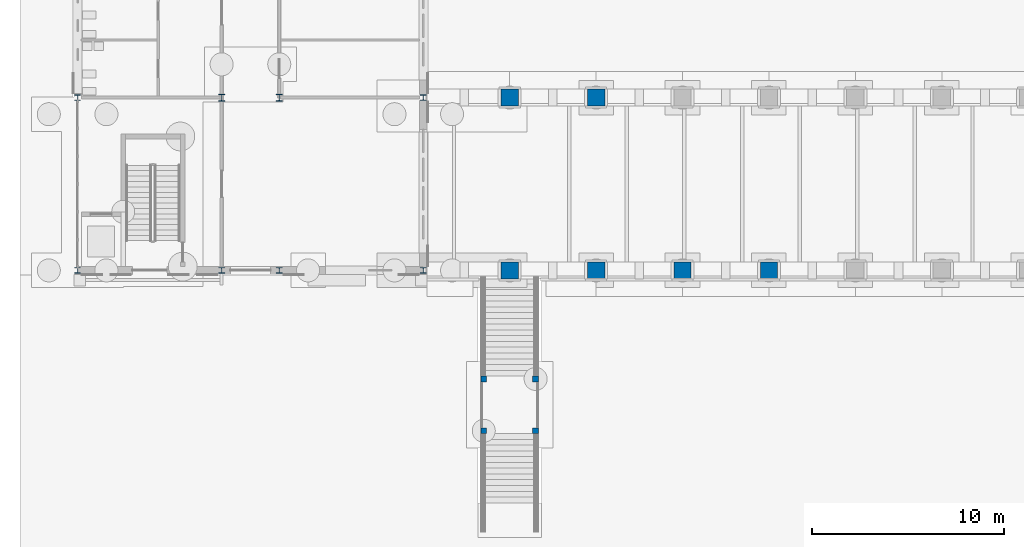
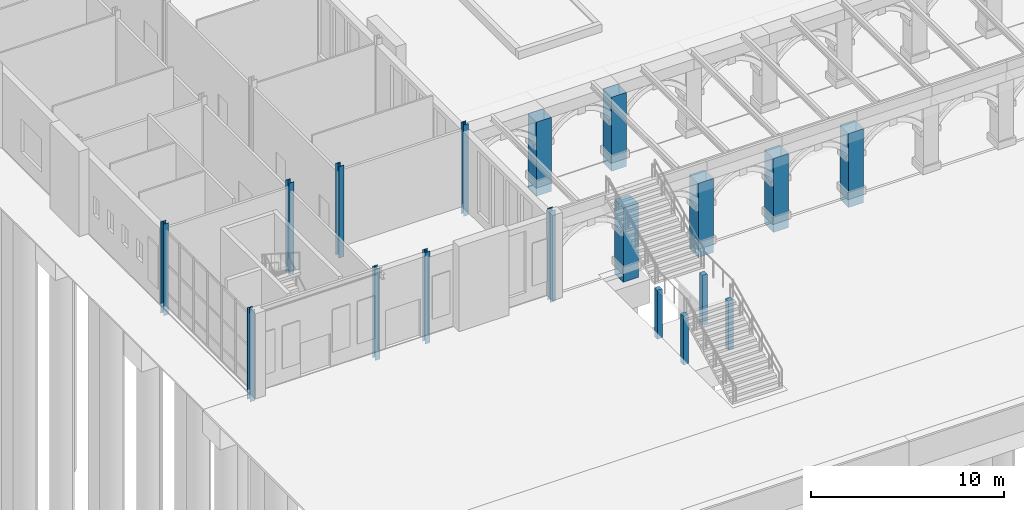
# One storey, part 10 of 168: 18 columns.
"""IFC4 building model written with IfcOpenShell, lengths in metres."""

from ifc_helpers import new_model, si_unit, direction, frame, origin, origin_2d, place, context, subcontext, project, spatial, rectangle, i_section, extrude, material, material_profile, profile_set, type_object, element, save


model = new_model("IFC4")

# Units and contexts
model_context = context("Model", 3, precision=1e-05, world=origin(), true_north=direction((0.0, 1.0)))
body_context = subcontext(model_context, "Body", "Model", "MODEL_VIEW")
ifc_project = project(units=[si_unit("LENGTHUNIT", "METRE"), si_unit("AREAUNIT", "SQUARE_METRE"), si_unit("VOLUMEUNIT", "CUBIC_METRE"), si_unit("PLANEANGLEUNIT", "RADIAN"), si_unit("MASSUNIT", "GRAM", prefix="KILO")], contexts=[model_context])

# Site, building, storey
site_placement = place(None, origin())
site = spatial("IfcSite", under=ifc_project, at=site_placement, CompositionType="ELEMENT")
building_placement = place(site_placement, origin())
building = spatial("IfcBuilding", under=site, at=building_placement, Name="Golden Quay Civic Hall", CompositionType="ELEMENT")
storey_placement = place(building_placement, origin())
storey = spatial("IfcBuildingStorey", under=building, at=storey_placement, Name="L00", CompositionType="ELEMENT", Elevation=0.0)

# Columns
ifc_material_1 = material(Name="Concrete C40/50", Category="concrete")
ifc_material_profile_1 = material_profile(ifc_material_1, rectangle(XDim=0.300048828125, YDim=0.300048828125, at=origin_2d()), Name="RC 300x300")
ifc_profile_set_1 = profile_set([ifc_material_profile_1], Name="Concrete C40/50")
column_type_1 = type_object("IfcColumnType", Name="Concrete column RC 300x300", PredefinedType="COLUMN", material=ifc_profile_set_1)
for number, where, z_axis, x_axis, name in (
    (1, (21.14990234375, -17.35009765625, -0.60009765625), (0.0, 0.0, 1.0), (1.0, 0.0, 0.0), "Stair landing column west"),
    (2, (21.14990234375, -14.64990234375, -0.60009765625), (0.0, 0.0, 1.0), (1.0, 0.0, 0.0), "Stair landing column west"),
    (3, (23.85009765625, -17.35009765625, -0.60009765625), (0.0, 0.0, 1.0), (1.0, 0.0, 0.0), "Stair landing column west"),
    (4, (23.85009765625, -14.64990234375, -0.60009765625), (0.0, 0.0, 1.0), (1.0, 0.0, 0.0), "Stair landing column west"),
):
    element("IfcColumn", number, at=place(storey_placement, frame(where, z_axis=z_axis, x_axis=x_axis)), inside=storey, type_object=column_type_1, Name=name, PredefinedType="COLUMN", context=body_context, shape_type="SweptSolid", body=[
        extrude(rectangle(XDim=0.300048828125, YDim=0.300048828125, at=origin_2d()), origin(), (0.0, 0.0, 1.0), 3.10009765625),
    ])
ifc_material_2 = material(Name="Concrete C40/50", Category="concrete")
ifc_material_profile_2 = material_profile(ifc_material_2, rectangle(XDim=0.89990234375, YDim=0.89990234375, at=origin_2d()), Name="RC 900x900")
ifc_profile_set_2 = profile_set([ifc_material_profile_2], Name="Concrete C40/50")
column_type_2 = type_object("IfcColumnType", Name="Concrete column RC 900x900", PredefinedType="COLUMN", material=ifc_profile_set_2)
for number, where, z_axis, x_axis, name in (
    (5, (22.5, -9.0, -0.60009765625), (0.0, 0.0, 1.0), (1.0, 0.0, 0.0), "Arcade pier outer 22.5"),
    (6, (27.0, -9.0, -0.60009765625), (0.0, 0.0, 1.0), (1.0, 0.0, 0.0), "Arcade pier outer 27"),
    (7, (31.5, -9.0, -0.60009765625), (0.0, 0.0, 1.0), (1.0, 0.0, 0.0), "Arcade pier outer 31.5"),
    (8, (36.0, -9.0, -0.60009765625), (0.0, 0.0, 1.0), (1.0, 0.0, 0.0), "Arcade pier outer 36"),
    (9, (22.5, 0.0, -0.60009765625), (0.0, 0.0, 1.0), (1.0, 0.0, 0.0), "Arcade pier inner0 22.5"),
    (10, (27.0, 0.0, -0.60009765625), (0.0, 0.0, 1.0), (1.0, 0.0, 0.0), "Arcade pier inner0 27"),
):
    element("IfcColumn", number, at=place(storey_placement, frame(where, z_axis=z_axis, x_axis=x_axis)), inside=storey, type_object=column_type_2, Name=name, PredefinedType="COLUMN", context=body_context, shape_type="SweptSolid", body=[
        extrude(rectangle(XDim=0.89990234375, YDim=0.89990234375, at=origin_2d()), origin(), (0.0, 0.0, 1.0), 4.7001953125),
    ])
ifc_material_3 = material(Name="Steel S355", Category="steel")
ifc_material_profile_3 = material_profile(ifc_material_3, i_section(OverallWidth=0.300048828125, OverallDepth=0.300048828125, WebThickness=0.010986328125, FlangeThickness=0.01904296875, FilletRadius=0.027099609375, at=origin_2d()), Name="HEB 300")
ifc_profile_set_3 = profile_set([ifc_material_profile_3], Name="Steel S355")
column_type_3 = type_object("IfcColumnType", Name="Steel column HEB 300", PredefinedType="COLUMN", material=ifc_profile_set_3)
for number, where, z_axis, x_axis, name in (
    (11, (0.0, -9.0, -0.60009765625), (0.0, 0.0, 1.0), (1.0, 0.0, 0.0), "Column 0/-9 L00"),
    (12, (0.0, 0.0, -0.60009765625), (0.0, 0.0, 1.0), (1.0, 0.0, 0.0), "Column 0/0 L00"),
    (13, (7.5, -9.0, -0.60009765625), (0.0, 0.0, 1.0), (1.0, 0.0, 0.0), "Column 7.5/-9 L00"),
    (14, (10.5, -9.0, -0.60009765625), (0.0, 0.0, 1.0), (1.0, 0.0, 0.0), "Column 10.5/-9 L00"),
    (15, (18.0, -9.0, -0.60009765625), (0.0, 0.0, 1.0), (1.0, 0.0, 0.0), "Column 18/-9 L00"),
    (16, (18.0, 0.0, -0.60009765625), (0.0, 0.0, 1.0), (1.0, 0.0, 0.0), "Column 18/0 L00"),
):
    element("IfcColumn", number, at=place(storey_placement, frame(where, z_axis=z_axis, x_axis=x_axis)), inside=storey, type_object=column_type_3, Name=name, PredefinedType="COLUMN", context=body_context, shape_type="SweptSolid", body=[
        extrude(i_section(OverallWidth=0.300048828125, OverallDepth=0.300048828125, WebThickness=0.010986328125, FlangeThickness=0.01904296875, FilletRadius=0.027099609375, at=origin_2d()), origin(), (0.0, 0.0, 1.0), 5.800048828125),
    ])
ifc_material_4 = material(Name="Steel S355", Category="steel")
ifc_material_profile_4 = material_profile(ifc_material_4, i_section(OverallWidth=0.300048828125, OverallDepth=0.360107421875, WebThickness=0.012451171875, FlangeThickness=0.0224609375, FilletRadius=0.027099609375, at=origin_2d()), Name="HEB 360")
ifc_profile_set_4 = profile_set([ifc_material_profile_4], Name="Steel S355")
column_type_4 = type_object("IfcColumnType", Name="Steel column HEB 360", PredefinedType="COLUMN", material=ifc_profile_set_4)
for number, where, z_axis, x_axis, name in (
    (17, (7.5, 0.0, -0.60009765625), (0.0, 0.0, 1.0), (1.0, 0.0, 0.0), "Column 7.5/0 L00"),
    (18, (10.5, 0.0, -0.60009765625), (0.0, 0.0, 1.0), (1.0, 0.0, 0.0), "Column 10.5/0 L00"),
):
    element("IfcColumn", number, at=place(storey_placement, frame(where, z_axis=z_axis, x_axis=x_axis)), inside=storey, type_object=column_type_4, Name=name, PredefinedType="COLUMN", context=body_context, shape_type="SweptSolid", body=[
        extrude(i_section(OverallWidth=0.300048828125, OverallDepth=0.360107421875, WebThickness=0.012451171875, FlangeThickness=0.0224609375, FilletRadius=0.027099609375, at=origin_2d()), origin(), (0.0, 0.0, 1.0), 5.800048828125),
    ])

save(model, "model.ifc")
